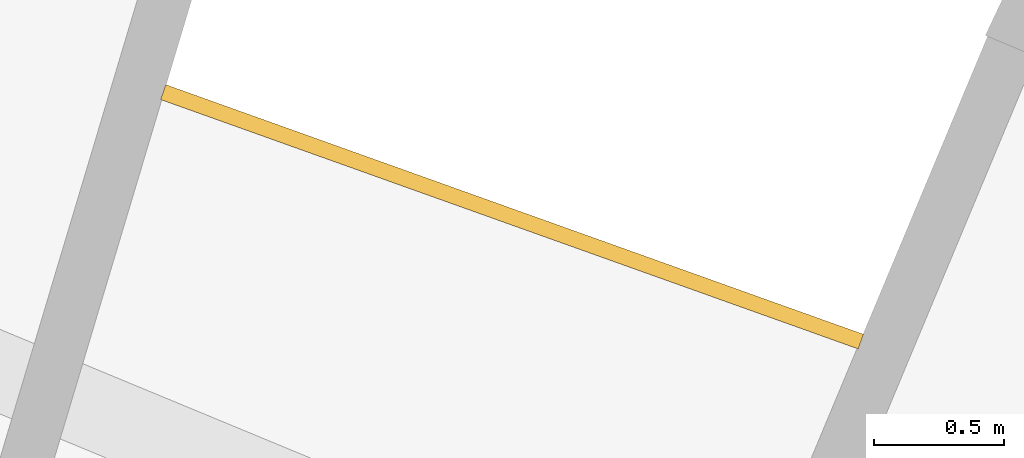
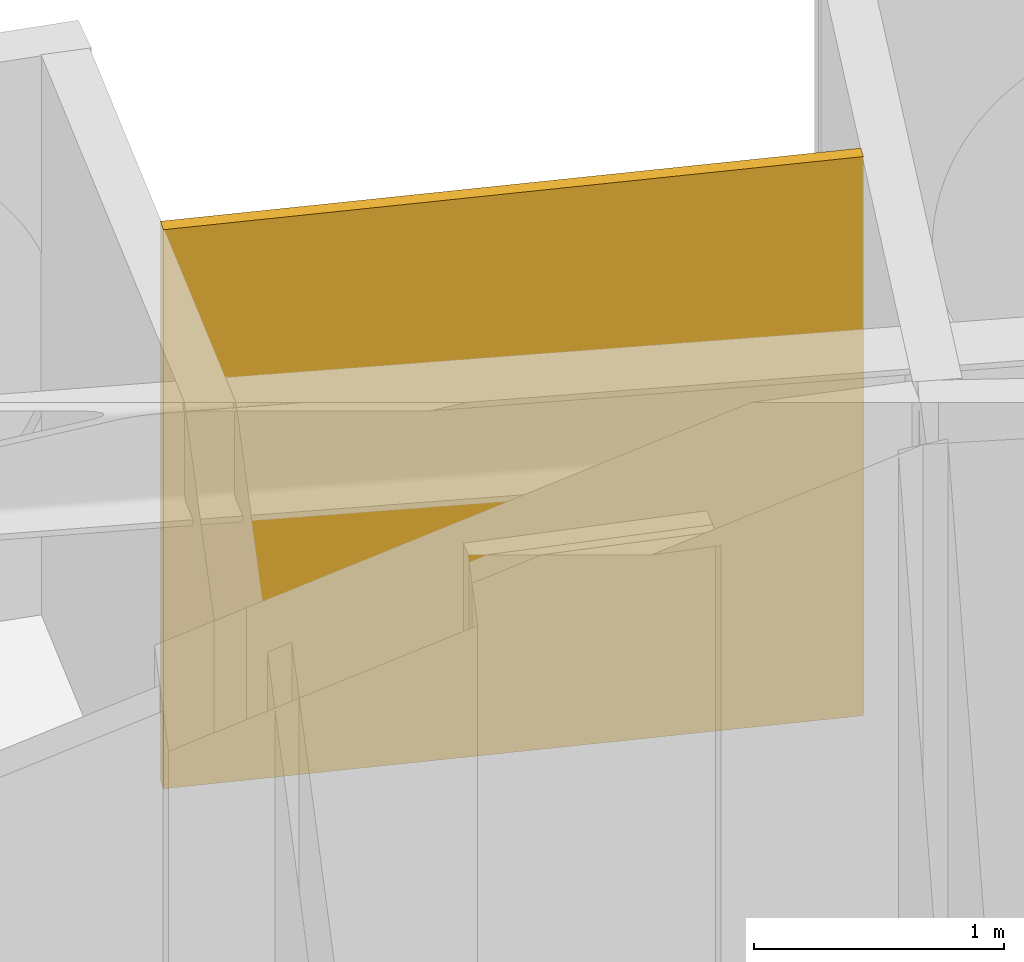
# One storey, part 26 of 26: 1 railing.
"""IFC4 building model written with IfcOpenShell, lengths in metres."""

import ifcopenshell
import ifcopenshell.guid

model = None  # the IFC model being written
_history = None  # IfcOwnerHistory: only IFC2X3 demands one
_inside = {}  # id of a spatial element -> (the spatial element, [elements in it])
_under = {}  # id of a project, library or spatial element -> (it, [spatial elements below it])
_declared = {}  # id of a project -> (the project, [libraries it declares])
_typed = {}  # id of a type object -> (the type object, [elements of that type])
_made_of = {}  # id of a material, layer set ... -> (it, [elements and type objects made of it])


def new_model(schema):
    """Start an empty IFC model of exactly this schema.

    Asked for "IFC4X3", IfcOpenShell would pick the latest addendum, in which some entities
    have other attributes; the version numbers below select the first issue.
    IFC2X3 requires an IfcOwnerHistory on every rooted entity: one is made here for all.
    """
    global model, _history
    if schema == "IFC4X3":
        model = ifcopenshell.file(schema_version=(4, 3, 0, 0))
    else:
        model = ifcopenshell.file(schema=schema)
    _inside.clear()
    _under.clear()
    _declared.clear()
    _typed.clear()
    _made_of.clear()
    _history = None
    if model.schema == "IFC2X3":
        org = make("IfcOrganization", Name="unknown")
        user = make(
            "IfcPersonAndOrganization",
            ThePerson=make("IfcPerson", FamilyName="unknown"),
            TheOrganization=org,
        )
        app = make(
            "IfcApplication",
            ApplicationDeveloper=org,
            Version="unknown",
            ApplicationFullName="unknown",
            ApplicationIdentifier="unknown",
        )
        _history = make(
            "IfcOwnerHistory",
            OwningUser=user,
            OwningApplication=app,
            ChangeAction="ADDED",
            CreationDate=0,
        )
    return model


def make(cls, **values):
    """One entity of the class cls with the attributes given. An attribute that is None is left unset."""
    return model.create_entity(
        cls, **{name: value for name, value in values.items() if value is not None}
    )


def rooted(cls, **values):
    """An entity with a GlobalId (a new one), such as an element, a storey or a relation."""
    return make(cls, GlobalId=ifcopenshell.guid.new(), OwnerHistory=_history, **values)


def si_unit(unit_type, name, prefix=None):
    """IfcSIUnit, for example si_unit("LENGTHUNIT", "METRE", prefix="MILLI")."""
    return make("IfcSIUnit", UnitType=unit_type, Prefix=prefix, Name=name)


def assignment(units):
    """IfcUnitAssignment: the units of a project."""
    return None if units is None else make("IfcUnitAssignment", Units=units)


def point(xyz):
    """IfcCartesianPoint."""
    return None if xyz is None else make("IfcCartesianPoint", Coordinates=xyz)


def direction(xyz):
    """IfcDirection."""
    return None if xyz is None else make("IfcDirection", DirectionRatios=xyz)


def frame(location, z_axis=None, x_axis=None):
    """IfcAxis2Placement3D, a coordinate frame: its origin and axes. An axis left out is left unset."""
    return make(
        "IfcAxis2Placement3D",
        Location=point(location),
        Axis=direction(z_axis),
        RefDirection=direction(x_axis),
    )


def origin():
    """The frame at (0, 0, 0) with its axes left unset."""
    return frame((0.0, 0.0, 0.0))


def place(relative_to, where):
    """IfcLocalPlacement: puts the frame where relative to a parent placement (None: the world)."""
    return make(
        "IfcLocalPlacement", PlacementRelTo=relative_to, RelativePlacement=where
    )


def context(
    kind, dimensions, precision=None, world=None, true_north=None, identifier=None
):
    """IfcGeometricRepresentationContext, for example the 3D "Model" context."""
    return make(
        "IfcGeometricRepresentationContext",
        ContextIdentifier=identifier,
        ContextType=kind,
        CoordinateSpaceDimension=dimensions,
        Precision=precision,
        WorldCoordinateSystem=world,
        TrueNorth=true_north,
    )


def subcontext(parent, identifier, kind, view, scale=None):
    """IfcGeometricRepresentationSubContext, for example "Body" below "Model"."""
    return make(
        "IfcGeometricRepresentationSubContext",
        ContextIdentifier=identifier,
        ContextType=kind,
        ParentContext=parent,
        TargetScale=scale,
        TargetView=view,
    )


def project(units=None, contexts=None):
    """IfcProject with its units and contexts."""
    return rooted(
        "IfcProject",
        Name="project",
        RepresentationContexts=contexts,
        UnitsInContext=assignment(units),
    )


def spatial(cls, under=None, at=None, **own):
    """A site, building, storey or space (cls), placed at a placement, below another one or the project."""
    s = rooted(cls, ObjectPlacement=at, **own)
    if under is not None:
        _under.setdefault(under.id(), (under, []))[1].append(s)
    return s


def polyline(points):
    """IfcPolyline through the points."""
    return make("IfcPolyline", Points=[point(p) for p in points])


def outline(outer, holes=None, kind="AREA"):
    """IfcArbitraryClosedProfileDef: a profile drawn as a closed curve; with holes, ...WithVoids."""
    if holes is None:
        return make("IfcArbitraryClosedProfileDef", ProfileType=kind, OuterCurve=outer)
    return make(
        "IfcArbitraryProfileDefWithVoids",
        ProfileType=kind,
        OuterCurve=outer,
        InnerCurves=holes,
    )


def extrude(swept, where, along, depth):
    """IfcExtrudedAreaSolid: the profile swept, set in the frame where, extruded along a direction by depth."""
    return make(
        "IfcExtrudedAreaSolid",
        SweptArea=swept,
        Position=where,
        ExtrudedDirection=direction(along),
        Depth=depth,
    )


def shape(context_of_items, identifier, shape_type, items):
    """IfcShapeRepresentation: the items that make up one representation, for example the "Body"."""
    return make(
        "IfcShapeRepresentation",
        ContextOfItems=context_of_items,
        RepresentationIdentifier=identifier,
        RepresentationType=shape_type,
        Items=items,
    )


def material(Name=None, Category=None):
    """IfcMaterial."""
    return make("IfcMaterial", Name=Name, Category=Category)


def layer(
    of_material, thickness, ventilated=None, Name=None, Category=None, Priority=None
):
    """IfcMaterialLayer: one layer of a wall or slab, of a material (None: an air gap)."""
    return make(
        "IfcMaterialLayer",
        Material=of_material,
        LayerThickness=thickness,
        IsVentilated=ventilated,
        Name=Name,
        Category=Category,
        Priority=Priority,
    )


def layer_set(layers, Name=None):
    """IfcMaterialLayerSet."""
    return make("IfcMaterialLayerSet", MaterialLayers=layers, LayerSetName=Name)


def made_of(thing, what):
    """Note that an element or type object is made of a material, layer set ...; save() writes the relation."""
    if what is not None:
        _made_of.setdefault(what.id(), (what, []))[1].append(thing)
    return thing


def type_object(cls, material=None, **own):
    """A type object (cls), such as IfcWallType, which elements share."""
    return made_of(rooted(cls, **own), material)


def element(
    cls,
    number,
    at=None,
    inside=None,
    cuts=None,
    type_object=None,
    material=None,
    context=None,
    identifier="Body",
    shape_type=None,
    held_by="IfcProductDefinitionShape",
    body=None,
    shapes=None,
    **own,
):
    """One element of the class cls, such as IfcWall. Its Tag is "e" and its number.

    at: its placement. inside: the storey or other place that contains it. cuts: it is an
    opening in that element (IfcRelVoidsElement). A single representation is given by context,
    identifier, shape_type and body (its items); several are given by shapes. held_by: the class
    of the entity that holds the representations. save() writes the other relations.
    """
    e = rooted(cls, Tag="e%d" % number, ObjectPlacement=at, **own)
    if body is not None:
        shapes = [shape(context, identifier, shape_type, body)]
    if shapes is not None:
        e.Representation = make(held_by, Representations=shapes)
    if inside is not None:
        _inside.setdefault(inside.id(), (inside, []))[1].append(e)
    if cuts is not None:
        rooted(
            "IfcRelVoidsElement", RelatingBuildingElement=cuts, RelatedOpeningElement=e
        )
    if type_object is not None:
        _typed.setdefault(type_object.id(), (type_object, []))[1].append(e)
    return made_of(e, material)


def aggregate(whole, parts):
    """IfcRelAggregates: a whole, such as a stair, and the parts it consists of."""
    return rooted("IfcRelAggregates", RelatingObject=whole, RelatedObjects=parts)


def save(model, path):
    """Write the relations noted so far, then the file.

    IfcRelAggregates (storeys below a building ...), IfcRelContainedInSpatialStructure (elements
    in a storey), IfcRelDefinesByType, IfcRelAssociatesMaterial and IfcRelDeclares: one each for
    every whole, place, type object, material and project.
    """
    for whole, parts in _under.values():
        aggregate(whole, parts)
    for where, things in _inside.values():
        rooted(
            "IfcRelContainedInSpatialStructure",
            RelatedElements=things,
            RelatingStructure=where,
        )
    for kind, things in _typed.values():
        rooted("IfcRelDefinesByType", RelatedObjects=things, RelatingType=kind)
    for what, things in _made_of.values():
        rooted("IfcRelAssociatesMaterial", RelatedObjects=things, RelatingMaterial=what)
    for by, libraries in _declared.values():
        rooted("IfcRelDeclares", RelatingContext=by, RelatedDefinitions=libraries)
    model.write(path)


model = new_model("IFC4")

# Units and contexts
model_context = context("Model", 3, precision=1e-05, world=origin(), true_north=direction((0.0, 1.0)))
body_context = subcontext(model_context, "Body", "Model", "MODEL_VIEW")
ifc_project = project(units=[si_unit("LENGTHUNIT", "METRE"), si_unit("AREAUNIT", "SQUARE_METRE"), si_unit("VOLUMEUNIT", "CUBIC_METRE"), si_unit("PLANEANGLEUNIT", "RADIAN"), si_unit("MASSUNIT", "GRAM", prefix="KILO")], contexts=[model_context])

# Site, building, storey
site_placement = place(None, origin())
site = spatial("IfcSite", under=ifc_project, at=site_placement, CompositionType="ELEMENT")
building_placement = place(site_placement, origin())
building = spatial("IfcBuilding", under=site, at=building_placement, Name="Maasbend Ring Residences", CompositionType="ELEMENT")
storey_placement = place(building_placement, frame((0.0, 0.0, 50.25)))
storey = spatial("IfcBuildingStorey", under=building, at=storey_placement, Name="L14", CompositionType="ELEMENT", Elevation=50.25)

# Railing
ifc_material = material(Name="Pale anodised perforated aluminium", Category="aluminium")
ifc_layer = layer(ifc_material, 0.06005859375)
ifc_layer_set = layer_set([ifc_layer], Name="SCREEN-P")
railing_type = type_object("IfcRailingType", Name="SCREEN-P", PredefinedType="GUARDRAIL", material=ifc_layer_set)
railing_placement = place(storey_placement, frame((0.0, 0.0, -0.030029296875)))
element("IfcRailing", 1, at=railing_placement, inside=storey, type_object=railing_type, Name="Perforated screen guard 4", PredefinedType="GUARDRAIL", context=body_context, shape_type="SweptSolid", body=[
    extrude(outline(polyline([(11.097900390625, 26.79296875), (8.41796875, 27.7509765625), (8.43798828125, 27.80810546875), (11.117919921875, 26.84912109375), (11.097900390625, 26.79296875)])), origin(), (0.0, 0.0, 1.0), 2.72998046875),
])

save(model, "model.ifc")
